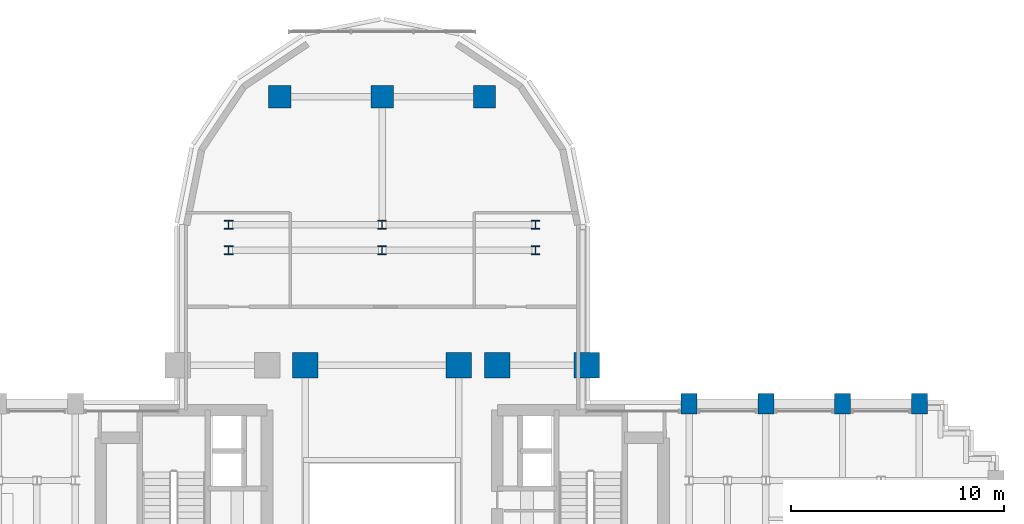
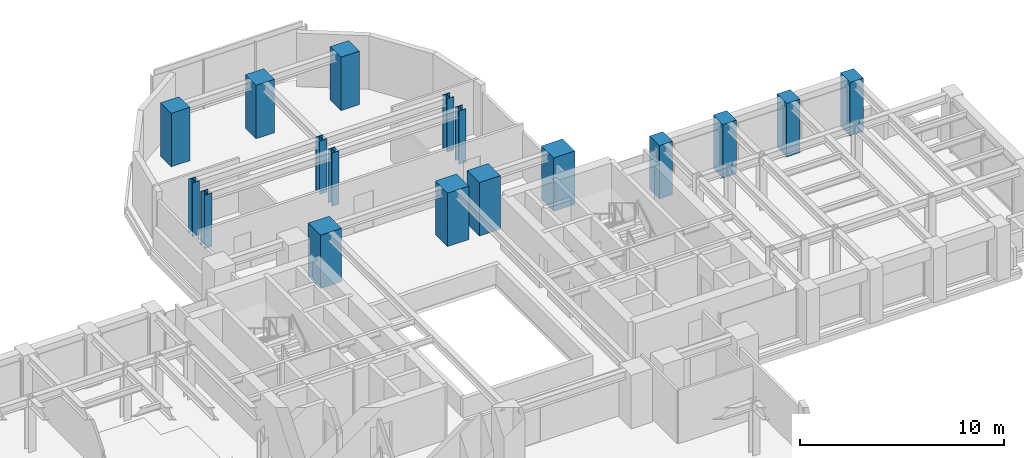
# One storey, part 2 of 16: 17 columns.
"""IFC4 building model written with IfcOpenShell, lengths in metres."""

from ifc_helpers import new_model, si_unit, direction, frame, origin, origin_2d, place, context, subcontext, project, spatial, rectangle, i_section, extrude, source, transform, mapped, material, material_profile, profile_set, type_object, element, save


model = new_model("IFC4")

# Units and contexts
model_context = context("Model", 3, precision=1e-05, world=origin(), true_north=direction((0.0, 1.0)))
body_context = subcontext(model_context, "Body", "Model", "MODEL_VIEW")
ifc_project = project(units=[si_unit("LENGTHUNIT", "METRE"), si_unit("AREAUNIT", "SQUARE_METRE"), si_unit("VOLUMEUNIT", "CUBIC_METRE"), si_unit("PLANEANGLEUNIT", "RADIAN"), si_unit("MASSUNIT", "GRAM", prefix="KILO")], contexts=[model_context])

# Site, building, storey
site_placement = place(None, origin())
site = spatial("IfcSite", under=ifc_project, at=site_placement, CompositionType="ELEMENT")
building_placement = place(site_placement, origin())
building = spatial("IfcBuilding", under=site, at=building_placement, Name="Keilestroom Media Tower", CompositionType="ELEMENT")
storey_placement = place(building_placement, frame((0.0, 0.0, 61.199951171875)))
storey = spatial("IfcBuildingStorey", under=building, at=storey_placement, Name="L15", CompositionType="ELEMENT", Elevation=61.199951171875)

# Columns
ifc_material_1 = material(Name="Precast concrete C40/50", Category="concrete")
ifc_material_profile_1 = material_profile(ifc_material_1, rectangle(XDim=0.75, YDim=0.949951171875, at=origin_2d()), Name="PC 950x750")
ifc_profile_set_1 = profile_set([ifc_material_profile_1], Name="Precast concrete C40/50")
column_type_1 = type_object("IfcColumnType", Name="Structural-Column-PC-950x750", PredefinedType="COLUMN", material=ifc_profile_set_1)
shared_shape_1 = source(origin(), body_context, "Body", "SweptSolid", [
    extrude(rectangle(XDim=0.75, YDim=0.949951171875, at=origin_2d()), origin(), (0.0, 0.0, 1.0), 3.199951171875),
])
for number, where, z_axis, x_axis, name in (
    (1, (14.39990234375, 7.199951171875, 0.0), (0.0, 0.0, 1.0), (1.0, 0.0, 0.0), "L15 Column PC-1 (+14.4,+7.2)"),
    (2, (18.0, 7.199951171875, 0.0), (0.0, 0.0, 1.0), (1.0, 0.0, 0.0), "L15 Column PC-1 (+18.0,+7.2)"),
    (3, (21.60009765625, 7.199951171875, 0.0), (0.0, 0.0, 1.0), (1.0, 0.0, 0.0), "L15 Column PC-1 (+21.6,+7.2)"),
    (4, (25.199951171875, 7.199951171875, 0.0), (0.0, 0.0, 1.0), (1.0, 0.0, 0.0), "L15 Column PC-1 (+25.2,+7.2)"),
):
    element("IfcColumn", number, at=place(storey_placement, frame(where, z_axis=z_axis, x_axis=x_axis)), inside=storey, type_object=column_type_1, Name=name, PredefinedType="COLUMN", context=body_context, shape_type="MappedRepresentation", body=[
        mapped(shared_shape_1, transform((0.0, 0.0, 0.0), x_axis=(1.0, 0.0, 0.0), y_axis=(0.0, 1.0, 0.0), z_axis=(0.0, 0.0, 1.0), scale=1.0)),
    ])
ifc_material_2 = material(Name="Steel S460", Category="steel")
ifc_material_profile_2 = material_profile(ifc_material_2, i_section(OverallWidth=0.404052734375, OverallDepth=0.406982421875, WebThickness=0.02197265625, FlangeThickness=0.035400390625, at=origin_2d()), Name="HD 400x347")
ifc_profile_set_2 = profile_set([ifc_material_profile_2], Name="Steel S460")
column_type_2 = type_object("IfcColumnType", Name="Structural-Column-HD-400x347", PredefinedType="COLUMN", material=ifc_profile_set_2)
shared_shape_2 = source(origin(), body_context, "Body", "SweptSolid", [
    extrude(i_section(OverallWidth=0.404052734375, OverallDepth=0.406982421875, WebThickness=0.02197265625, FlangeThickness=0.035400390625, at=origin_2d()), origin(), (0.0, 0.0, 1.0), 3.199951171875),
])
for number, where, z_axis, x_axis, name in (
    (5, (-7.199951171875, 14.39990234375, 0.0), (0.0, 0.0, 1.0), (1.0, 0.0, 0.0), "L15 Column SC-2 (-7.2,+14.4)"),
    (6, (-7.199951171875, 15.60009765625, 0.0), (0.0, 0.0, 1.0), (1.0, 0.0, 0.0), "L15 Column SC-2 (-7.2,+15.6)"),
    (7, (0.0, 14.39990234375, 0.0), (0.0, 0.0, 1.0), (1.0, 0.0, 0.0), "L15 Column SC-2 (+0.0,+14.4)"),
    (8, (0.0, 15.60009765625, 0.0), (0.0, 0.0, 1.0), (1.0, 0.0, 0.0), "L15 Column SC-2 (+0.0,+15.6)"),
    (9, (7.199951171875, 14.39990234375, 0.0), (0.0, 0.0, 1.0), (1.0, 0.0, 0.0), "L15 Column SC-2 (+7.2,+14.4)"),
    (10, (7.199951171875, 15.60009765625, 0.0), (0.0, 0.0, 1.0), (1.0, 0.0, 0.0), "L15 Column SC-2 (+7.2,+15.6)"),
):
    element("IfcColumn", number, at=place(storey_placement, frame(where, z_axis=z_axis, x_axis=x_axis)), inside=storey, type_object=column_type_2, Name=name, PredefinedType="COLUMN", context=body_context, shape_type="MappedRepresentation", body=[
        mapped(shared_shape_2, transform((0.0, 0.0, 0.0), x_axis=(1.0, 0.0, 0.0), y_axis=(0.0, 1.0, 0.0), z_axis=(0.0, 0.0, 1.0), scale=1.0)),
    ])
ifc_material_3 = material(Name="Concrete C70/85", Category="concrete")
ifc_material_profile_3 = material_profile(ifc_material_3, rectangle(XDim=1.199951171875, YDim=1.199951171875, at=origin_2d()), Name="RC 1200x1200")
ifc_profile_set_3 = profile_set([ifc_material_profile_3], Name="Concrete C70/85")
column_type_3 = type_object("IfcColumnType", Name="Structural-Column-RC-1200x1200", PredefinedType="COLUMN", material=ifc_profile_set_3)
shared_shape_3 = source(origin(), body_context, "Body", "SweptSolid", [
    extrude(rectangle(XDim=1.199951171875, YDim=1.199951171875, at=origin_2d()), origin(), (0.0, 0.0, 1.0), 3.199951171875),
])
for number, where, z_axis, x_axis, name in (
    (11, (-3.60009765625, 9.0, 0.0), (0.0, 0.0, 1.0), (1.0, 0.0, 0.0), "L15 Column MC-2 (-3.6,+9.0)"),
    (12, (3.60009765625, 9.0, 0.0), (0.0, 0.0, 1.0), (1.0, 0.0, 0.0), "L15 Column MC-2 (+3.6,+9.0)"),
    (13, (5.39990234375, 9.0, 0.0), (0.0, 0.0, 1.0), (1.0, 0.0, 0.0), "L15 Column MC-2 (+5.4,+9.0)"),
    (14, (9.60009765625, 9.0, 0.0), (0.0, 0.0, 1.0), (1.0, 0.0, 0.0), "L15 Column MC-2 (+9.6,+9.0)"),
):
    element("IfcColumn", number, at=place(storey_placement, frame(where, z_axis=z_axis, x_axis=x_axis)), inside=storey, type_object=column_type_3, Name=name, PredefinedType="COLUMN", context=body_context, shape_type="MappedRepresentation", body=[
        mapped(shared_shape_3, transform((0.0, 0.0, 0.0), x_axis=(1.0, 0.0, 0.0), y_axis=(0.0, 1.0, 0.0), z_axis=(0.0, 0.0, 1.0), scale=1.0)),
    ])
ifc_material_4 = material(Name="Concrete C55/67", Category="concrete")
ifc_material_profile_4 = material_profile(ifc_material_4, rectangle(XDim=1.050048828125, YDim=1.050048828125, at=origin_2d()), Name="RC 1050x1050")
ifc_profile_set_4 = profile_set([ifc_material_profile_4], Name="Concrete C55/67")
column_type_4 = type_object("IfcColumnType", Name="Structural-Column-RC-1050x1050", PredefinedType="COLUMN", material=ifc_profile_set_4)
shared_shape_4 = source(origin(), body_context, "Body", "SweptSolid", [
    extrude(rectangle(XDim=1.050048828125, YDim=1.050048828125, at=origin_2d()), origin(), (0.0, 0.0, 1.0), 3.199951171875),
])
for number, where, z_axis, x_axis, name in (
    (15, (-4.800048828125, 21.60009765625, 0.0), (0.0, 0.0, 1.0), (1.0, 0.0, 0.0), "L15 Column MC-3 (-4.8,+21.6)"),
    (16, (0.0, 21.60009765625, 0.0), (0.0, 0.0, 1.0), (1.0, 0.0, 0.0), "L15 Column MC-3 (+0.0,+21.6)"),
    (17, (4.800048828125, 21.60009765625, 0.0), (0.0, 0.0, 1.0), (1.0, 0.0, 0.0), "L15 Column MC-3 (+4.8,+21.6)"),
):
    element("IfcColumn", number, at=place(storey_placement, frame(where, z_axis=z_axis, x_axis=x_axis)), inside=storey, type_object=column_type_4, Name=name, PredefinedType="COLUMN", context=body_context, shape_type="MappedRepresentation", body=[
        mapped(shared_shape_4, transform((0.0, 0.0, 0.0), x_axis=(1.0, 0.0, 0.0), y_axis=(0.0, 1.0, 0.0), z_axis=(0.0, 0.0, 1.0), scale=1.0)),
    ])

save(model, "model.ifc")
